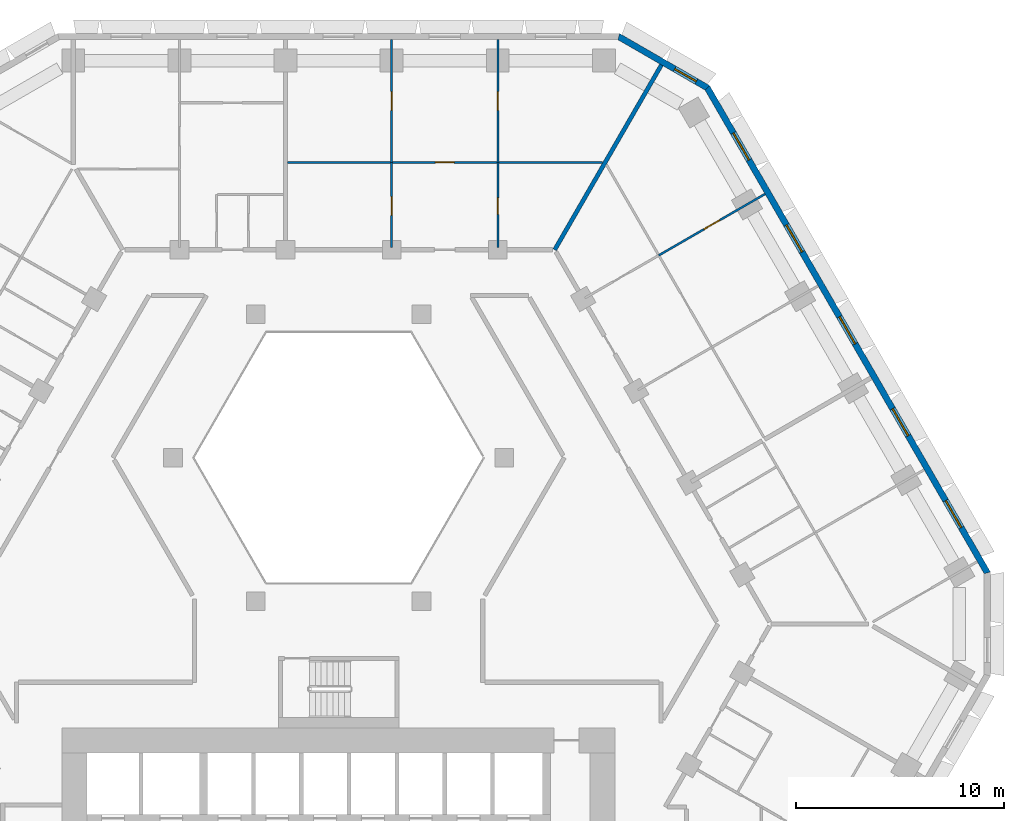
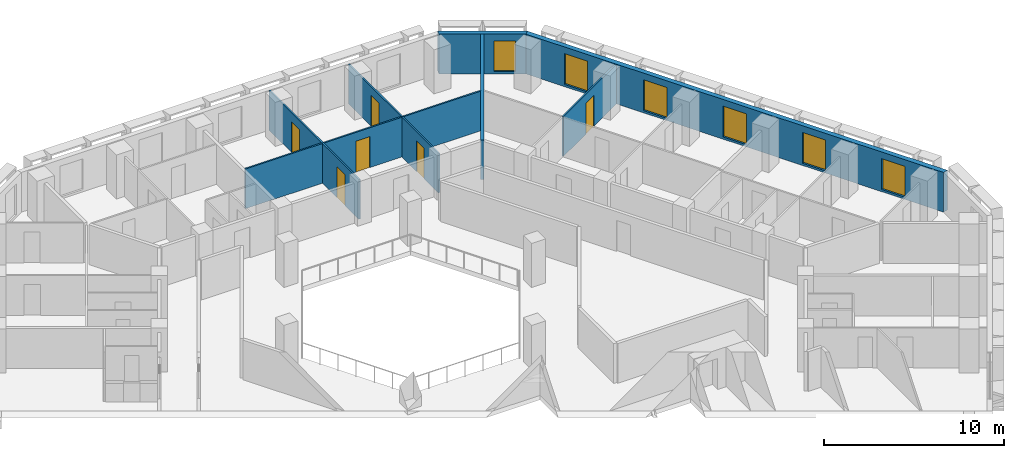
# One storey, part 10 of 16: 9 walls, 6 doors, 6 windows, 12 openings.
"""IFC4 building model written with IfcOpenShell, lengths in metres."""

from ifc_helpers import new_model, si_unit, direction, frame, frame_2d, origin, place, context, subcontext, project, spatial, polyline, rectangle, outline, extrude, material, layer, layer_set, type_object, element, fill, save


model = new_model("IFC4")

# Units and contexts
model_context = context("Model", 3, precision=1e-05, world=origin(), true_north=direction((0.0, 1.0)))
body_context = subcontext(model_context, "Body", "Model", "MODEL_VIEW")
ifc_project = project(units=[si_unit("LENGTHUNIT", "METRE"), si_unit("AREAUNIT", "SQUARE_METRE"), si_unit("VOLUMEUNIT", "CUBIC_METRE"), si_unit("PLANEANGLEUNIT", "RADIAN"), si_unit("MASSUNIT", "GRAM", prefix="KILO")], contexts=[model_context])

# Site, building, storey
site_placement = place(None, origin())
site = spatial("IfcSite", under=ifc_project, at=site_placement, CompositionType="ELEMENT")
building_placement = place(site_placement, origin())
building = spatial("IfcBuilding", under=site, at=building_placement, Name="Beryl Residences", CompositionType="ELEMENT")
storey_placement = place(building_placement, frame((0.0, 0.0, 50.39990234375)))
storey = spatial("IfcBuildingStorey", under=building, at=storey_placement, Name="L15", CompositionType="ELEMENT", Elevation=50.39990234375)

# Wall, openings, windows
ifc_material_1 = material(Name="Composite metal panel with mineral wool insulation")
ifc_layer_1 = layer(ifc_material_1, 0.300048828125)
ifc_layer_set_1 = layer_set([ifc_layer_1], Name="ES1 pale metal composite panel wall 300 mm")
wall_type_1 = type_object("IfcWallType", Name="ES1 pale metal composite panel wall 300 mm", PredefinedType="SOLIDWALL", material=ifc_layer_set_1)
wall_1_placement = place(storey_placement, frame((31.219970703125, 2.425048828125, 0.0), z_axis=(0.0, 0.0, 1.0), x_axis=(-0.500001938803, 0.866024284413, 0.0)))
wall_1 = element("IfcWall", 1, at=wall_1_placement, inside=storey, type_object=wall_type_1, Name="ES1 external wall L15 NE", PredefinedType="SOLIDWALL", context=body_context, shape_type="SweptSolid", body=[
    extrude(outline(polyline([(0.0, -0.14990234375), (27.02001953125, -0.14990234375), (26.939697265625, 0.14990234375), (0.080322265625, 0.14990234375), (0.0, -0.14990234375)])), origin(), (0.0, 0.0, 1.0), 2.7001953125),
])
opening_1_placement = place(wall_1_placement, frame((2.552978515625, 0.0, 0.14990234375)))
opening_1 = element("IfcOpeningElement", 2, at=opening_1_placement, cuts=wall_1, Name="Opening W1", PredefinedType="OPENING", context=body_context, shape_type="SweptSolid", body=[
    extrude(rectangle(XDim=1.5, YDim=2.10009765625, at=frame_2d((0.75, 1.050048828125))), frame((0.0, 0.159912109375, 0.0), z_axis=(0.0, -1.0, 0.0), x_axis=(1.0, 0.0, 0.0)), (0.0, 0.0, 1.0), 0.320068359375),
])
opening_2_placement = place(wall_1_placement, frame((7.656982421875, 0.0, 0.14990234375)))
opening_2 = element("IfcOpeningElement", 3, at=opening_2_placement, cuts=wall_1, Name="Opening W1", PredefinedType="OPENING", context=body_context, shape_type="SweptSolid", body=[
    extrude(rectangle(XDim=1.5, YDim=2.10009765625, at=frame_2d((0.75, 1.050048828125))), frame((0.0, 0.159912109375, 0.0), z_axis=(0.0, -1.0, 0.0), x_axis=(1.0, 0.0, 0.0)), (0.0, 0.0, 1.0), 0.320068359375),
])
opening_3_placement = place(wall_1_placement, frame((12.760986328125, 0.0, 0.14990234375)))
opening_3 = element("IfcOpeningElement", 4, at=opening_3_placement, cuts=wall_1, Name="Opening W1", PredefinedType="OPENING", context=body_context, shape_type="SweptSolid", body=[
    extrude(rectangle(XDim=1.5, YDim=2.10009765625, at=frame_2d((0.75, 1.050048828125))), frame((0.0, 0.159912109375, 0.0), z_axis=(0.0, -1.0, 0.0), x_axis=(1.0, 0.0, 0.0)), (0.0, 0.0, 1.0), 0.320068359375),
])
opening_4_placement = place(wall_1_placement, frame((17.864990234375, 0.0, 0.14990234375)))
opening_4 = element("IfcOpeningElement", 5, at=opening_4_placement, cuts=wall_1, Name="Opening W1", PredefinedType="OPENING", context=body_context, shape_type="SweptSolid", body=[
    extrude(rectangle(XDim=1.5, YDim=2.10009765625, at=frame_2d((0.75, 1.050048828125))), frame((0.0, 0.159912109375, 0.0), z_axis=(0.0, -1.0, 0.0), x_axis=(1.0, 0.0, 0.0)), (0.0, 0.0, 1.0), 0.320068359375),
])
opening_5_placement = place(wall_1_placement, frame((22.968994140625, 0.0, 0.14990234375)))
opening_5 = element("IfcOpeningElement", 6, at=opening_5_placement, cuts=wall_1, Name="Opening W1", PredefinedType="OPENING", context=body_context, shape_type="SweptSolid", body=[
    extrude(rectangle(XDim=1.5, YDim=2.10009765625, at=frame_2d((0.75, 1.050048828125))), frame((0.0, 0.159912109375, 0.0), z_axis=(0.0, -1.0, 0.0), x_axis=(1.0, 0.0, 0.0)), (0.0, 0.0, 1.0), 0.320068359375),
])
ifc_material_2 = material(Name="Aluminium and clear glass", Category="aluminium")
window_type_1 = type_object("IfcWindowType", Name="W1 cell window 1500 x 2100 mm", PartitioningType="SINGLE_PANEL", PredefinedType="WINDOW", material=ifc_material_2)
window_1_placement = place(opening_1_placement, origin())
window_1 = element("IfcWindow", 7, at=window_1_placement, inside=storey, type_object=window_type_1, Name="W1 window L15 NE 2", OverallHeight=2.10009765625, OverallWidth=1.5, PartitioningType="SINGLE_PANEL", PredefinedType="WINDOW", context=body_context, shape_type="SweptSolid", body=[
    extrude(rectangle(XDim=1.5, YDim=2.10009765625, at=frame_2d((0.75, 1.050048828125))), frame((0.0, 0.030029296875, 0.0), z_axis=(0.0, -1.0, 0.0), x_axis=(1.0, 0.0, 0.0)), (0.0, 0.0, 1.0), 0.06005859375),
])
fill(opening_1, window_1)
window_2_placement = place(opening_2_placement, origin())
window_2 = element("IfcWindow", 8, at=window_2_placement, inside=storey, type_object=window_type_1, Name="W1 window L15 NE 4", OverallHeight=2.10009765625, OverallWidth=1.5, PartitioningType="SINGLE_PANEL", PredefinedType="WINDOW", context=body_context, shape_type="SweptSolid", body=[
    extrude(rectangle(XDim=1.5, YDim=2.10009765625, at=frame_2d((0.75, 1.050048828125))), frame((0.0, 0.030029296875, 0.0), z_axis=(0.0, -1.0, 0.0), x_axis=(1.0, 0.0, 0.0)), (0.0, 0.0, 1.0), 0.06005859375),
])
fill(opening_2, window_2)
window_3_placement = place(opening_3_placement, origin())
window_3 = element("IfcWindow", 9, at=window_3_placement, inside=storey, type_object=window_type_1, Name="W1 window L15 NE 6", OverallHeight=2.10009765625, OverallWidth=1.5, PartitioningType="SINGLE_PANEL", PredefinedType="WINDOW", context=body_context, shape_type="SweptSolid", body=[
    extrude(rectangle(XDim=1.5, YDim=2.10009765625, at=frame_2d((0.75, 1.050048828125))), frame((0.0, 0.030029296875, 0.0), z_axis=(0.0, -1.0, 0.0), x_axis=(1.0, 0.0, 0.0)), (0.0, 0.0, 1.0), 0.06005859375),
])
fill(opening_3, window_3)
window_4_placement = place(opening_4_placement, origin())
window_4 = element("IfcWindow", 10, at=window_4_placement, inside=storey, type_object=window_type_1, Name="W1 window L15 NE 8", OverallHeight=2.10009765625, OverallWidth=1.5, PartitioningType="SINGLE_PANEL", PredefinedType="WINDOW", context=body_context, shape_type="SweptSolid", body=[
    extrude(rectangle(XDim=1.5, YDim=2.10009765625, at=frame_2d((0.75, 1.050048828125))), frame((0.0, 0.030029296875, 0.0), z_axis=(0.0, -1.0, 0.0), x_axis=(1.0, 0.0, 0.0)), (0.0, 0.0, 1.0), 0.06005859375),
])
fill(opening_4, window_4)
window_5_placement = place(opening_5_placement, origin())
window_5 = element("IfcWindow", 11, at=window_5_placement, inside=storey, type_object=window_type_1, Name="W1 window L15 NE 10", OverallHeight=2.10009765625, OverallWidth=1.5, PartitioningType="SINGLE_PANEL", PredefinedType="WINDOW", context=body_context, shape_type="SweptSolid", body=[
    extrude(rectangle(XDim=1.5, YDim=2.10009765625, at=frame_2d((0.75, 1.050048828125))), frame((0.0, 0.030029296875, 0.0), z_axis=(0.0, -1.0, 0.0), x_axis=(1.0, 0.0, 0.0)), (0.0, 0.0, 1.0), 0.06005859375),
])
fill(opening_5, window_5)

# Wall, opening, window
wall_2_placement = place(storey_placement, frame((17.764892578125, 25.77001953125, 0.0), z_axis=(0.0, 0.0, 1.0), x_axis=(-0.866010750942, 0.50002537861, 0.0)))
wall_2 = element("IfcWall", 12, at=wall_2_placement, inside=storey, type_object=wall_type_1, Name="ES1 external wall L15 NE-N", PredefinedType="SOLIDWALL", context=body_context, shape_type="SweptSolid", body=[
    extrude(outline(polyline([(0.0, -0.14990234375), (4.999755859375, -0.14990234375), (4.91943359375, 0.14990234375), (0.080322265625, 0.14990234375), (0.0, -0.14990234375)])), origin(), (0.0, 0.0, 1.0), 2.7001953125),
])
opening_6_placement = place(wall_2_placement, frame((0.64990234375, 0.0, 0.14990234375)))
opening_6 = element("IfcOpeningElement", 13, at=opening_6_placement, cuts=wall_2, Name="Opening W2", PredefinedType="OPENING", context=body_context, shape_type="SweptSolid", body=[
    extrude(rectangle(XDim=1.199951171875, YDim=2.10009765625, at=frame_2d((0.60009765625, 1.050048828125))), frame((0.0, 0.159912109375, 0.0), z_axis=(0.0, -1.0, 0.0), x_axis=(1.0, 0.0, 0.0)), (0.0, 0.0, 1.0), 0.320068359375),
])
ifc_material_3 = material(Name="Aluminium and clear glass", Category="aluminium")
window_type_2 = type_object("IfcWindowType", Name="W2 chamfer window 1200 x 2100 mm", PartitioningType="SINGLE_PANEL", PredefinedType="WINDOW", material=ifc_material_3)
window_6_placement = place(opening_6_placement, origin())
window_6 = element("IfcWindow", 14, at=window_6_placement, inside=storey, type_object=window_type_2, Name="W2 window L15 NE-N 1", OverallHeight=2.10009765625, OverallWidth=1.199951171875, PartitioningType="SINGLE_PANEL", PredefinedType="WINDOW", context=body_context, shape_type="SweptSolid", body=[
    extrude(rectangle(XDim=1.199951171875, YDim=2.10009765625, at=frame_2d((0.60009765625, 1.050048828125))), frame((0.0, 0.030029296875, 0.0), z_axis=(0.0, -1.0, 0.0), x_axis=(1.0, 0.0, 0.0)), (0.0, 0.0, 1.0), 0.06005859375),
])
fill(opening_6, window_6)

# Wall, opening, door
ifc_material_4 = material(Name="Gypsum board partition on steel studs", Category="steel")
ifc_layer_2 = layer(ifc_material_4, 0.10009765625)
ifc_layer_set_2 = layer_set([ifc_layer_2], Name="PT1 partition 100 mm gypsum board on steel studs")
wall_type_2 = type_object("IfcWallType", Name="PT1 partition 100 mm gypsum board on steel studs", PredefinedType="PARTITIONING", material=ifc_layer_set_2)
wall_3_placement = place(storey_placement, frame((-2.452880859375, 22.199951171875, 0.0), z_axis=(0.0, 0.0, 1.0), x_axis=(1.0, 0.0, 0.0)))
wall_3 = element("IfcWall", 15, at=wall_3_placement, inside=storey, type_object=wall_type_2, Name="Wall PT1 L15 034", PredefinedType="PARTITIONING", context=body_context, shape_type="SweptSolid", body=[
    extrude(rectangle(XDim=15.15478515625, YDim=0.10009765625, at=frame_2d((7.577392578125, 0.0))), origin(), (0.0, 0.0, 1.0), 2.7001953125),
])
opening_7_placement = place(wall_3_placement, frame((7.10595703125, 0.0, 0.0)))
opening_7 = element("IfcOpeningElement", 16, at=opening_7_placement, cuts=wall_3, Name="Opening D0559", PredefinedType="OPENING", context=body_context, shape_type="SweptSolid", body=[
    extrude(rectangle(XDim=0.89990234375, YDim=2.10009765625, at=frame_2d((0.449951171875, 1.050048828125))), frame((0.0, 0.06005859375, 0.0), z_axis=(0.0, -1.0, 0.0), x_axis=(1.0, 0.0, 0.0)), (0.0, 0.0, 1.0), 0.1201171875),
])
ifc_material_5 = material(Name="Timber door leaf", Category="wood")
door_type_1 = type_object("IfcDoorType", Name="D2 room door 900 x 2100 mm", OperationType="SINGLE_SWING_LEFT", PredefinedType="DOOR", material=ifc_material_5)
door_1_placement = place(opening_7_placement, origin())
door_1 = element("IfcDoor", 17, at=door_1_placement, inside=storey, type_object=door_type_1, Name="Door D0559 L15 001", OperationType="SINGLE_SWING_LEFT", OverallHeight=2.10009765625, OverallWidth=0.89990234375, PredefinedType="DOOR", context=body_context, shape_type="SweptSolid", body=[
    extrude(rectangle(XDim=0.89990234375, YDim=2.10009765625, at=frame_2d((0.449951171875, 1.050048828125))), frame((0.0, 0.02490234375, 0.0), z_axis=(0.0, -1.0, 0.0), x_axis=(1.0, 0.0, 0.0)), (0.0, 0.0, 1.0), 0.050048828125),
])
fill(opening_7, door_1)

wall_4_placement = place(storey_placement, frame((7.655029296875, 18.10009765625, 0.0), z_axis=(0.0, 0.0, 1.0), x_axis=(0.0, 1.0, 0.0)))
wall_4 = element("IfcWall", 18, at=wall_4_placement, inside=storey, type_object=wall_type_2, Name="Wall PT1 L15 043", PredefinedType="PARTITIONING", context=body_context, shape_type="SweptSolid", body=[
    extrude(rectangle(XDim=4.099853515625, YDim=0.10009765625, at=frame_2d((2.0498046875, 0.0))), origin(), (0.0, 0.0, 1.0), 2.7001953125),
])
opening_8_placement = place(wall_4_placement, frame((1.60009765625, 0.0, 0.0)))
opening_8 = element("IfcOpeningElement", 19, at=opening_8_placement, cuts=wall_4, Name="Opening D0560", PredefinedType="OPENING", context=body_context, shape_type="SweptSolid", body=[
    extrude(rectangle(XDim=0.800048828125, YDim=2.10009765625, at=frame_2d((0.39990234375, 1.050048828125))), frame((0.0, 0.06005859375, 0.0), z_axis=(0.0, -1.0, 0.0), x_axis=(1.0, 0.0, 0.0)), (0.0, 0.0, 1.0), 0.1201171875),
])
ifc_material_6 = material(Name="Timber door leaf", Category="wood")
door_type_2 = type_object("IfcDoorType", Name="D3 bathroom door 800 x 2100 mm", OperationType="SINGLE_SWING_LEFT", PredefinedType="DOOR", material=ifc_material_6)
door_2_placement = place(opening_8_placement, origin())
door_2 = element("IfcDoor", 20, at=door_2_placement, inside=storey, type_object=door_type_2, Name="Door D0560 L15 001", OperationType="SINGLE_SWING_RIGHT", OverallHeight=2.10009765625, OverallWidth=0.800048828125, PredefinedType="DOOR", context=body_context, shape_type="SweptSolid", body=[
    extrude(rectangle(XDim=0.800048828125, YDim=2.10009765625, at=frame_2d((0.39990234375, 1.050048828125))), frame((0.0, 0.02490234375, 0.0), z_axis=(0.0, -1.0, 0.0), x_axis=(1.0, 0.0, 0.0)), (0.0, 0.0, 1.0), 0.050048828125),
])
fill(opening_8, door_2)

wall_5_placement = place(storey_placement, frame((2.551025390625, 18.10009765625, 0.0), z_axis=(0.0, 0.0, 1.0), x_axis=(0.0, 1.0, 0.0)))
wall_5 = element("IfcWall", 21, at=wall_5_placement, inside=storey, type_object=wall_type_2, Name="Wall PT1 L15 049", PredefinedType="PARTITIONING", context=body_context, shape_type="SweptSolid", body=[
    extrude(rectangle(XDim=4.099853515625, YDim=0.10009765625, at=frame_2d((2.0498046875, 0.0))), origin(), (0.0, 0.0, 1.0), 2.7001953125),
])
opening_9_placement = place(wall_5_placement, frame((1.550048828125, 0.0, 0.0)))
opening_9 = element("IfcOpeningElement", 22, at=opening_9_placement, cuts=wall_5, Name="Opening D0561", PredefinedType="OPENING", context=body_context, shape_type="SweptSolid", body=[
    extrude(rectangle(XDim=0.89990234375, YDim=2.10009765625, at=frame_2d((0.449951171875, 1.050048828125))), frame((0.0, 0.06005859375, 0.0), z_axis=(0.0, -1.0, 0.0), x_axis=(1.0, 0.0, 0.0)), (0.0, 0.0, 1.0), 0.1201171875),
])
door_3_placement = place(opening_9_placement, origin())
door_3 = element("IfcDoor", 23, at=door_3_placement, inside=storey, type_object=door_type_1, Name="Door D0561 L15 001", OperationType="SINGLE_SWING_LEFT", OverallHeight=2.10009765625, OverallWidth=0.89990234375, PredefinedType="DOOR", context=body_context, shape_type="SweptSolid", body=[
    extrude(rectangle(XDim=0.89990234375, YDim=2.10009765625, at=frame_2d((0.449951171875, 1.050048828125))), frame((0.0, 0.02490234375, 0.0), z_axis=(0.0, -1.0, 0.0), x_axis=(1.0, 0.0, 0.0)), (0.0, 0.0, 1.0), 0.050048828125),
])
fill(opening_9, door_3)

wall_6_placement = place(storey_placement, frame((15.39697265625, 17.73095703125, 0.0), z_axis=(0.0, 0.0, 1.0), x_axis=(0.866052608538, 0.499952877023, 0.0)))
wall_6 = element("IfcWall", 24, at=wall_6_placement, inside=storey, type_object=wall_type_2, Name="Wall PT1 L15 069", PredefinedType="PARTITIONING", context=body_context, shape_type="SweptSolid", body=[
    extrude(rectangle(XDim=5.900390625, YDim=0.10009765625, at=frame_2d((2.9501953125, 0.0))), origin(), (0.0, 0.0, 1.0), 2.7001953125),
])
opening_10_placement = place(wall_6_placement, frame((2.5, 0.0, 0.0)))
opening_10 = element("IfcOpeningElement", 25, at=opening_10_placement, cuts=wall_6, Name="Opening D0557", PredefinedType="OPENING", context=body_context, shape_type="SweptSolid", body=[
    extrude(rectangle(XDim=0.89990234375, YDim=2.10009765625, at=frame_2d((0.449951171875, 1.050048828125))), frame((0.0, 0.06005859375, 0.0), z_axis=(0.0, -1.0, 0.0), x_axis=(1.0, 0.0, 0.0)), (0.0, 0.0, 1.0), 0.1201171875),
])
door_4_placement = place(opening_10_placement, origin())
door_4 = element("IfcDoor", 26, at=door_4_placement, inside=storey, type_object=door_type_1, Name="Door D0557 L15 001", OperationType="SINGLE_SWING_LEFT", OverallHeight=2.10009765625, OverallWidth=0.89990234375, PredefinedType="DOOR", context=body_context, shape_type="SweptSolid", body=[
    extrude(rectangle(XDim=0.89990234375, YDim=2.10009765625, at=frame_2d((0.449951171875, 1.050048828125))), frame((0.0, 0.02490234375, 0.0), z_axis=(0.0, -1.0, 0.0), x_axis=(1.0, 0.0, 0.0)), (0.0, 0.0, 1.0), 0.050048828125),
])
fill(opening_10, door_4)

wall_7_placement = place(storey_placement, frame((7.655029296875, 22.199951171875, 0.0), z_axis=(0.0, 0.0, 1.0), x_axis=(0.0, 1.0, 0.0)))
wall_7 = element("IfcWall", 27, at=wall_7_placement, inside=storey, type_object=wall_type_2, Name="Wall PT1 L15 075", PredefinedType="PARTITIONING", context=body_context, shape_type="SweptSolid", body=[
    extrude(rectangle(XDim=5.900146484375, YDim=0.10009765625, at=frame_2d((2.9501953125, 0.0))), origin(), (0.0, 0.0, 1.0), 2.7001953125),
])
opening_11_placement = place(wall_7_placement, frame((2.5, 0.0, 0.0)))
opening_11 = element("IfcOpeningElement", 28, at=opening_11_placement, cuts=wall_7, Name="Opening D0563", PredefinedType="OPENING", context=body_context, shape_type="SweptSolid", body=[
    extrude(rectangle(XDim=0.89990234375, YDim=2.10009765625, at=frame_2d((0.449951171875, 1.050048828125))), frame((0.0, 0.06005859375, 0.0), z_axis=(0.0, -1.0, 0.0), x_axis=(1.0, 0.0, 0.0)), (0.0, 0.0, 1.0), 0.1201171875),
])
door_5_placement = place(opening_11_placement, origin())
door_5 = element("IfcDoor", 29, at=door_5_placement, inside=storey, type_object=door_type_1, Name="Door D0563 L15 001", OperationType="SINGLE_SWING_LEFT", OverallHeight=2.10009765625, OverallWidth=0.89990234375, PredefinedType="DOOR", context=body_context, shape_type="SweptSolid", body=[
    extrude(rectangle(XDim=0.89990234375, YDim=2.10009765625, at=frame_2d((0.449951171875, 1.050048828125))), frame((0.0, 0.02490234375, 0.0), z_axis=(0.0, -1.0, 0.0), x_axis=(1.0, 0.0, 0.0)), (0.0, 0.0, 1.0), 0.050048828125),
])
fill(opening_11, door_5)

wall_8_placement = place(storey_placement, frame((2.551025390625, 22.199951171875, 0.0), z_axis=(0.0, 0.0, 1.0), x_axis=(0.0, 1.0, 0.0)))
wall_8 = element("IfcWall", 30, at=wall_8_placement, inside=storey, type_object=wall_type_2, Name="Wall PT1 L15 076", PredefinedType="PARTITIONING", context=body_context, shape_type="SweptSolid", body=[
    extrude(rectangle(XDim=5.900146484375, YDim=0.10009765625, at=frame_2d((2.9501953125, 0.0))), origin(), (0.0, 0.0, 1.0), 2.7001953125),
])
opening_12_placement = place(wall_8_placement, frame((2.5, 0.0, 0.0)))
opening_12 = element("IfcOpeningElement", 31, at=opening_12_placement, cuts=wall_8, Name="Opening D0562", PredefinedType="OPENING", context=body_context, shape_type="SweptSolid", body=[
    extrude(rectangle(XDim=0.89990234375, YDim=2.10009765625, at=frame_2d((0.449951171875, 1.050048828125))), frame((0.0, 0.06005859375, 0.0), z_axis=(0.0, -1.0, 0.0), x_axis=(1.0, 0.0, 0.0)), (0.0, 0.0, 1.0), 0.1201171875),
])
door_6_placement = place(opening_12_placement, origin())
door_6 = element("IfcDoor", 32, at=door_6_placement, inside=storey, type_object=door_type_1, Name="Door D0562 L15 001", OperationType="SINGLE_SWING_RIGHT", OverallHeight=2.10009765625, OverallWidth=0.89990234375, PredefinedType="DOOR", context=body_context, shape_type="SweptSolid", body=[
    extrude(rectangle(XDim=0.89990234375, YDim=2.10009765625, at=frame_2d((0.449951171875, 1.050048828125))), frame((0.0, 0.02490234375, 0.0), z_axis=(0.0, -1.0, 0.0), x_axis=(1.0, 0.0, 0.0)), (0.0, 0.0, 1.0), 0.050048828125),
])
fill(opening_12, door_6)

# Wall
ifc_material_7 = material(Name="Acoustic double stud gypsum board wall")
ifc_layer_3 = layer(ifc_material_7, 0.199951171875)
ifc_layer_set_3 = layer_set([ifc_layer_3], Name="PT3 party wall 200 mm acoustic double stud")
wall_type_3 = type_object("IfcWallType", Name="PT3 party wall 200 mm acoustic double stud", PredefinedType="PARTITIONING", material=ifc_layer_set_3)
wall_9_placement = place(storey_placement, frame((10.39306640625, 18.0, 0.0), z_axis=(0.0, 0.0, 1.0), x_axis=(0.499945497007, 0.866056868816, 0.0)))
element("IfcWall", 33, at=wall_9_placement, inside=storey, type_object=wall_type_3, Name="Wall PT3 L15 012", PredefinedType="PARTITIONING", context=body_context, shape_type="SweptSolid", body=[
    extrude(rectangle(XDim=10.264892578125, YDim=0.199951171875, at=frame_2d((5.13232421875, 0.0))), origin(), (0.0, 0.0, 1.0), 2.7001953125),
])

save(model, "model.ifc")
